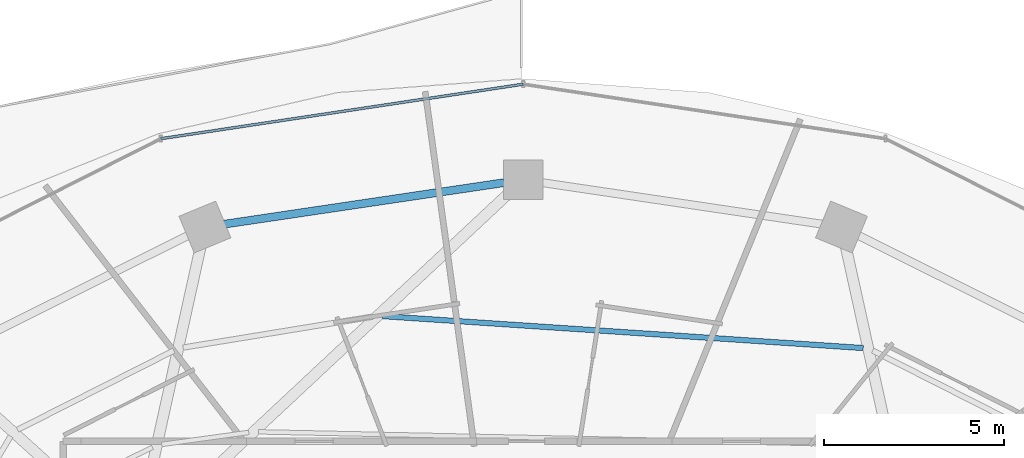
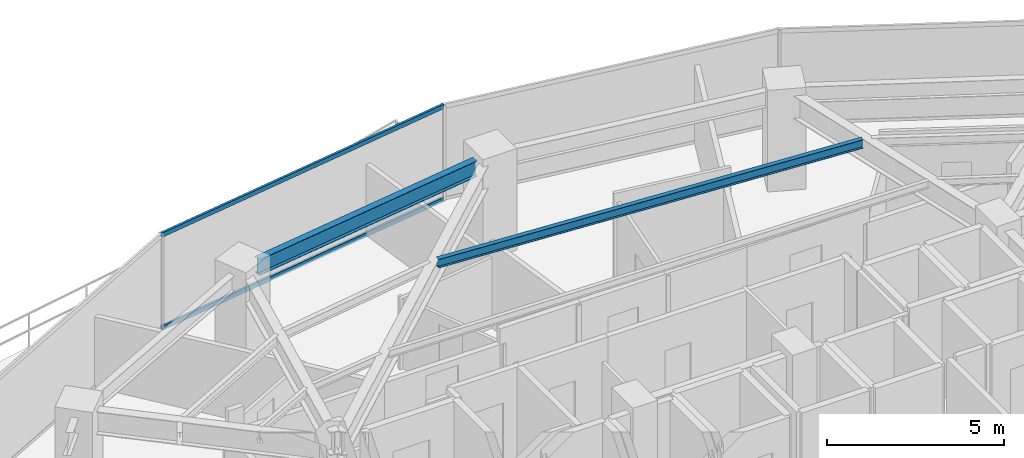
# One storey, part 17 of 30: 2 beams, 2 members, 1 element without a shape of its own.
"""IFC4 building model written with IfcOpenShell, lengths in metres."""

from ifc_helpers import new_model, si_unit, direction, frame, origin, origin_2d, place, context, subcontext, project, spatial, hollow_rectangle, i_section, extrude, material, material_profile, profile_set, type_object, element, aggregate, save


model = new_model("IFC4")

# Units and contexts
model_context = context("Model", 3, precision=1e-05, world=origin(), true_north=direction((0.0, 1.0)))
body_context = subcontext(model_context, "Body", "Model", "MODEL_VIEW")
ifc_project = project(units=[si_unit("LENGTHUNIT", "METRE"), si_unit("AREAUNIT", "SQUARE_METRE"), si_unit("VOLUMEUNIT", "CUBIC_METRE"), si_unit("PLANEANGLEUNIT", "RADIAN"), si_unit("MASSUNIT", "GRAM", prefix="KILO")], contexts=[model_context])

# Site, building, storey
site_placement = place(None, origin())
site = spatial("IfcSite", under=ifc_project, at=site_placement, CompositionType="ELEMENT")
building_placement = place(site_placement, origin())
building = spatial("IfcBuilding", under=site, at=building_placement, Name="Vorneva Point Tower", CompositionType="ELEMENT")
storey_placement = place(building_placement, frame((0.0, 0.0, 89.300048828125)))
storey = spatial("IfcBuildingStorey", under=building, at=storey_placement, Name="L23", CompositionType="ELEMENT", Elevation=89.300048828125)

# Beams
ifc_material_1 = material(Name="Steel S355", Category="steel")
ifc_material_profile_1 = material_profile(ifc_material_1, i_section(OverallWidth=0.14892578125, OverallDepth=0.298095703125, WebThickness=0.005615234375, FlangeThickness=0.008056640625, at=origin_2d()), Name="30B1")
ifc_profile_set_1 = profile_set([ifc_material_profile_1], Name="Steel S355")
beam_type_1 = type_object("IfcBeamType", Name="BM-JST-30B1", PredefinedType="JOIST", material=ifc_profile_set_1)
beam_1_placement = place(storey_placement, frame((47.425537109375, 38.53662109375, 3.091064453125), z_axis=(-0.997801151854, 0.066278664436, 0.0), x_axis=(-0.066278664436, -0.997801151854, 0.0)))
element("IfcBeam", 1, at=beam_1_placement, inside=storey, type_object=beam_type_1, Name="L23 Secondary Floor Beam 1.04", PredefinedType="JOIST", context=body_context, shape_type="SweptSolid", body=[
    extrude(i_section(OverallWidth=0.14892578125, OverallDepth=0.298095703125, WebThickness=0.005615234375, FlangeThickness=0.008056640625, at=origin_2d()), origin(), (0.0, 0.0, 1.0), 13.34912109375),
])
ifc_material_profile_2 = material_profile(ifc_material_1, i_section(OverallWidth=0.219970703125, OverallDepth=0.54296875, WebThickness=0.009521484375, FlangeThickness=0.013427734375, at=origin_2d()), Name="55B1")
ifc_profile_set_2 = profile_set([ifc_material_profile_2], Name="Steel S355")
beam_type_2 = type_object("IfcBeamType", Name="BM-SPN-55B1", PredefinedType="SPANDREL", material=ifc_profile_set_2)
beam_2_placement = place(storey_placement, frame((37.470703125, 43.121337890625, 2.968505859375), z_axis=(-0.989164507783, -0.146811363806, 0.0), x_axis=(0.146811363806, -0.989164507783, 0.0)))
element("IfcBeam", 2, at=beam_2_placement, inside=storey, type_object=beam_type_2, Name="L23 Perimeter Spandrel Ring Beam 05", PredefinedType="SPANDREL", context=body_context, shape_type="SweptSolid", body=[
    extrude(i_section(OverallWidth=0.219970703125, OverallDepth=0.54296875, WebThickness=0.009521484375, FlangeThickness=0.013427734375, at=origin_2d()), origin(), (0.0, 0.0, 1.0), 7.847412109375),
])

# Curtain wall, members
ifc_material_2 = material(Name="Pale anodised aluminium", Category="aluminium")
curtain_wall_type = type_object("IfcCurtainWallType", Name="CW-HTL-SYS", PredefinedType="NOTDEFINED", material=ifc_material_2)
curtain_wall_placement = place(storey_placement, origin())
curtain_wall = element("IfcCurtainWall", 3, at=curtain_wall_placement, inside=storey, type_object=curtain_wall_type, Name="L23 Unitised Curtain Wall CW-L23-R02", PredefinedType="NOTDEFINED")
ifc_material_profile_3 = material_profile(ifc_material_2, hollow_rectangle(XDim=0.074951171875, YDim=0.14990234375, WallThickness=0.00390625, at=origin_2d()), Name="AL-TRN 150x75x4")
ifc_profile_set_3 = profile_set([ifc_material_profile_3], Name="Pale anodised aluminium")
member_type = type_object("IfcMemberType", Name="CW-TRN-150", PredefinedType="USERDEFINED", material=ifc_profile_set_3)
member_1_placement = place(storey_placement, frame((38.0, 45.85009765625, 0.02001953125), z_axis=(-0.988875982167, -0.148742367512, 0.0), x_axis=(0.148742367512, -0.988875982167, 0.0)))
member_1 = element("IfcMember", 4, at=member_1_placement, type_object=member_type, Name="CW-L23-R02 Transom 03.1", ObjectType="TRANSOM", PredefinedType="USERDEFINED", context=body_context, shape_type="SweptSolid", body=[
    extrude(hollow_rectangle(XDim=0.074951171875, YDim=0.14990234375, WallThickness=0.00390625, at=origin_2d()), origin(), (0.0, 0.0, 1.0), 10.158447265625),
])
member_2_placement = place(storey_placement, frame((38.0, 45.85009765625, 3.219970703125), z_axis=(-0.988875982167, -0.148742367512, 0.0), x_axis=(0.148742367512, -0.988875982167, 0.0)))
member_2 = element("IfcMember", 5, at=member_2_placement, type_object=member_type, Name="CW-L23-R02 Transom 03.2", ObjectType="TRANSOM", PredefinedType="USERDEFINED", context=body_context, shape_type="SweptSolid", body=[
    extrude(hollow_rectangle(XDim=0.074951171875, YDim=0.14990234375, WallThickness=0.00390625, at=origin_2d()), origin(), (0.0, 0.0, 1.0), 10.158447265625),
])
aggregate(curtain_wall, [member_1, member_2])

save(model, "model.ifc")
